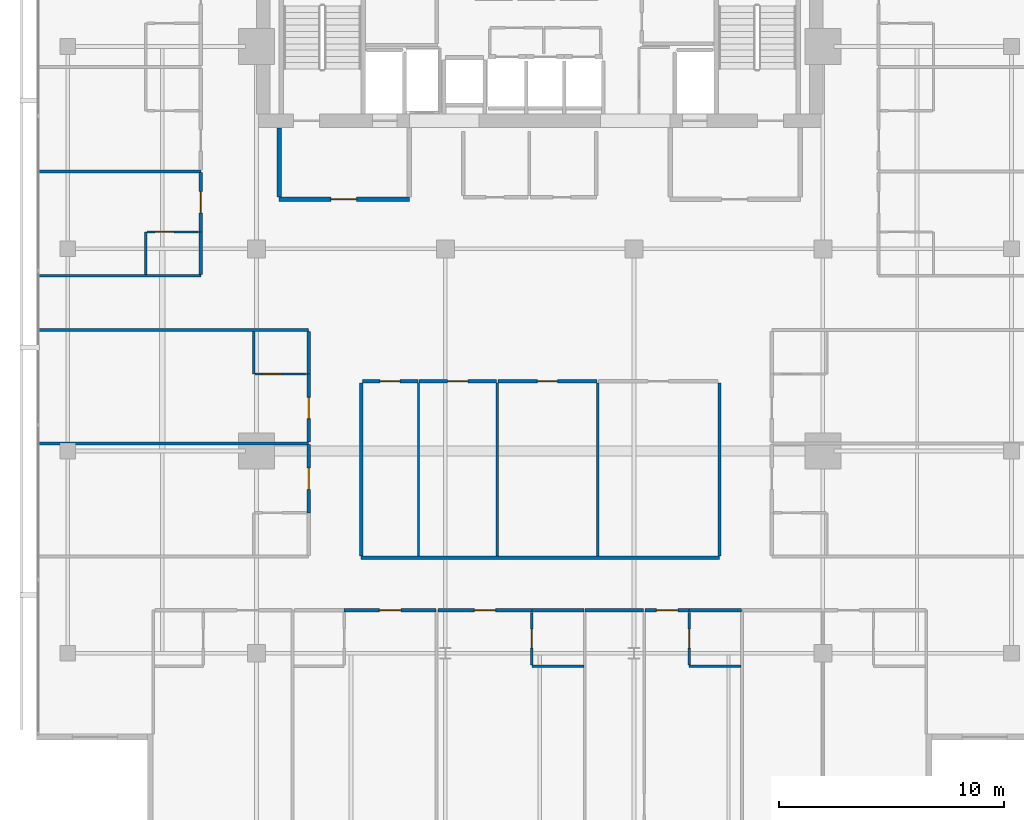
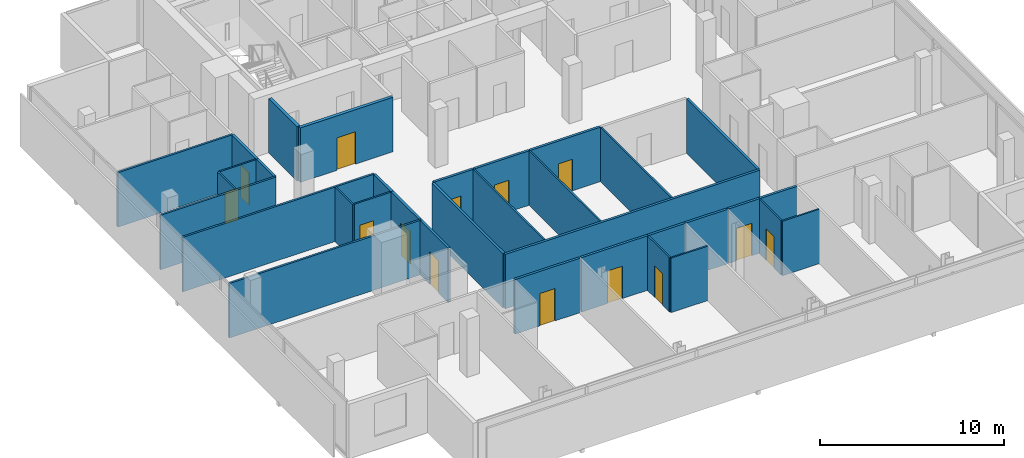
# One storey, part 20 of 26: 34 walls, 14 doors, 14 openings.
"""IFC4 building model written with IfcOpenShell, lengths in metres."""

from ifc_helpers import new_model, si_unit, direction, frame, frame_2d, origin, place, context, subcontext, project, spatial, rectangle, extrude, material, layer, layer_set, type_object, element, fill, save


model = new_model("IFC4")

# Units and contexts
model_context = context("Model", 3, precision=1e-05, world=origin(), true_north=direction((0.0, 1.0)))
body_context = subcontext(model_context, "Body", "Model", "MODEL_VIEW")
ifc_project = project(units=[si_unit("LENGTHUNIT", "METRE"), si_unit("AREAUNIT", "SQUARE_METRE"), si_unit("VOLUMEUNIT", "CUBIC_METRE"), si_unit("PLANEANGLEUNIT", "RADIAN"), si_unit("MASSUNIT", "GRAM", prefix="KILO")], contexts=[model_context])

# Site, building, storey
site_placement = place(None, origin())
site = spatial("IfcSite", under=ifc_project, at=site_placement, CompositionType="ELEMENT")
building_placement = place(site_placement, origin())
building = spatial("IfcBuilding", under=site, at=building_placement, Name="Maruvema Waterfront Hotel and Observation Tower", CompositionType="ELEMENT")
storey_placement = place(building_placement, frame((0.0, 0.0, 289.449951171875)))
storey = spatial("IfcBuildingStorey", under=building, at=storey_placement, Name="L71", CompositionType="ELEMENT", Elevation=289.449951171875)

# Walls
ifc_material_1 = material(Name="Twin-stud acoustic gypsum drywall", Category="gypsum")
ifc_layer_1 = layer(ifc_material_1, 0.14990234375, Name="Acoustic Corridor and Suite Demising Wall 150 mm")
ifc_layer_set_1 = layer_set([ifc_layer_1], Name="Twin-stud acoustic gypsum drywall")
wall_type_1 = type_object("IfcWallType", Name="Acoustic Corridor and Suite Demising Wall 150 mm", PredefinedType="PARTITIONING", material=ifc_layer_set_1)
wall_1_placement = place(storey_placement, frame((29.85009765625, 22.25, 0.0), z_axis=(0.0, 0.0, 1.0), x_axis=(1.0, 0.0, 0.0)))
element("IfcWall", 1, at=wall_1_placement, inside=storey, type_object=wall_type_1, Name="L71 L71-Z3M Back Wall 031", PredefinedType="PARTITIONING", context=body_context, shape_type="SweptSolid", body=[
    extrude(rectangle(XDim=15.949951171875, YDim=0.14990234375, at=frame_2d((7.97509765625, 0.0))), origin(), (0.0, 0.0, 1.0), 3.610107421875),
])
for number, where, z_axis, x_axis, name in (
    (2, (29.85009765625, 22.330078125, 0.0), (0.0, 0.0, 1.0), (0.0, 1.0, 0.0), "L71 L71-Z3M West Wall 032"),
    (3, (45.800048828125, 22.330078125, 0.0), (0.0, 0.0, 1.0), (0.0, 1.0, 0.0), "L71 L71-Z3M East Wall 033"),
):
    element("IfcWall", number, at=place(storey_placement, frame(where, z_axis=z_axis, x_axis=x_axis)), inside=storey, type_object=wall_type_1, Name=name, PredefinedType="PARTITIONING", context=body_context, shape_type="SweptSolid", body=[
        extrude(rectangle(XDim=7.68994140625, YDim=0.14990234375, at=frame_2d((3.844970703125, 0.0))), origin(), (0.0, 0.0, 1.0), 3.610107421875),
    ])

# Wall, opening, door
wall_2_placement = place(storey_placement, frame((29.909912109375, 30.10009765625, 0.0), z_axis=(0.0, 0.0, 1.0), x_axis=(1.0, 0.0, 0.0)))
wall_2 = element("IfcWall", 4, at=wall_2_placement, inside=storey, type_object=wall_type_1, Name="L71 L71-Z3M Front 1 034", PredefinedType="PARTITIONING", context=body_context, shape_type="SweptSolid", body=[
    extrude(rectangle(XDim=2.462158203125, YDim=0.14990234375, at=frame_2d((1.23095703125, 0.0))), origin(), (0.0, 0.0, 1.0), 3.610107421875),
])
opening_1_placement = place(wall_2_placement, frame((0.781005859375, 0.0, 0.0)))
opening_1 = element("IfcOpeningElement", 5, at=opening_1_placement, cuts=wall_2, Name="Opening DR-090", PredefinedType="OPENING", context=body_context, shape_type="SweptSolid", body=[
    extrude(rectangle(XDim=0.89990234375, YDim=2.10009765625, at=frame_2d((0.449951171875, 1.050048828125))), frame((0.0, 0.0849609375, 0.0), z_axis=(0.0, -1.0, 0.0), x_axis=(1.0, 0.0, 0.0)), (0.0, 0.0, 1.0), 0.169921875),
])
ifc_material_2 = material(Name="Solid-core lacquered timber leaf", Category="wood")
door_type_1 = type_object("IfcDoorType", Name="Accessible Toilet and Room Door 900x2100 mm", OperationType="NOTDEFINED", PredefinedType="DOOR", material=ifc_material_2)
door_1_placement = place(opening_1_placement, origin())
door_1 = element("IfcDoor", 6, at=door_1_placement, inside=storey, type_object=door_type_1, Name="L71 Horizon Lounge 1 Door", OperationType="SINGLE_SWING_RIGHT", OverallHeight=2.10009765625, OverallWidth=0.89990234375, PredefinedType="DOOR", context=body_context, shape_type="SweptSolid", body=[
    extrude(rectangle(XDim=0.89990234375, YDim=2.10009765625, at=frame_2d((0.449951171875, 1.050048828125))), frame((0.0, 0.02490234375, 0.0), z_axis=(0.0, -1.0, 0.0), x_axis=(1.0, 0.0, 0.0)), (0.0, 0.0, 1.0), 0.050048828125),
])
fill(opening_1, door_1)

wall_3_placement = place(storey_placement, frame((32.431884765625, 30.10009765625, 0.0), z_axis=(0.0, 0.0, 1.0), x_axis=(1.0, 0.0, 0.0)))
wall_3 = element("IfcWall", 7, at=wall_3_placement, inside=storey, type_object=wall_type_1, Name="L71 L71-Z3M Front 2 036", PredefinedType="PARTITIONING", context=body_context, shape_type="SweptSolid", body=[
    extrude(rectangle(XDim=3.44921875, YDim=0.14990234375, at=frame_2d((1.724609375, 0.0))), origin(), (0.0, 0.0, 1.0), 3.610107421875),
])
opening_2_placement = place(wall_3_placement, frame((1.2744140625, 0.0, 0.0)))
opening_2 = element("IfcOpeningElement", 8, at=opening_2_placement, cuts=wall_3, Name="Opening DR-090", PredefinedType="OPENING", context=body_context, shape_type="SweptSolid", body=[
    extrude(rectangle(XDim=0.89990234375, YDim=2.10009765625, at=frame_2d((0.449951171875, 1.050048828125))), frame((0.0, 0.0849609375, 0.0), z_axis=(0.0, -1.0, 0.0), x_axis=(1.0, 0.0, 0.0)), (0.0, 0.0, 1.0), 0.169921875),
])
door_2_placement = place(opening_2_placement, origin())
door_2 = element("IfcDoor", 9, at=door_2_placement, inside=storey, type_object=door_type_1, Name="L71 Horizon Lounge 2 Door", OperationType="SINGLE_SWING_LEFT", OverallHeight=2.10009765625, OverallWidth=0.89990234375, PredefinedType="DOOR", context=body_context, shape_type="SweptSolid", body=[
    extrude(rectangle(XDim=0.89990234375, YDim=2.10009765625, at=frame_2d((0.449951171875, 1.050048828125))), frame((0.0, 0.02490234375, 0.0), z_axis=(0.0, -1.0, 0.0), x_axis=(1.0, 0.0, 0.0)), (0.0, 0.0, 1.0), 0.050048828125),
])
fill(opening_2, door_2)

wall_4_placement = place(storey_placement, frame((35.94091796875, 30.10009765625, 0.0), z_axis=(0.0, 0.0, 1.0), x_axis=(1.0, 0.0, 0.0)))
wall_4 = element("IfcWall", 10, at=wall_4_placement, inside=storey, type_object=wall_type_1, Name="L71 L71-Z3M Front 3 038", PredefinedType="PARTITIONING", context=body_context, shape_type="SweptSolid", body=[
    extrude(rectangle(XDim=4.406005859375, YDim=0.14990234375, at=frame_2d((2.203125, 0.0))), origin(), (0.0, 0.0, 1.0), 3.610107421875),
])
opening_3_placement = place(wall_4_placement, frame((1.7529296875, 0.0, 0.0)))
opening_3 = element("IfcOpeningElement", 11, at=opening_3_placement, cuts=wall_4, Name="Opening DR-090", PredefinedType="OPENING", context=body_context, shape_type="SweptSolid", body=[
    extrude(rectangle(XDim=0.89990234375, YDim=2.10009765625, at=frame_2d((0.449951171875, 1.050048828125))), frame((0.0, 0.0849609375, 0.0), z_axis=(0.0, -1.0, 0.0), x_axis=(1.0, 0.0, 0.0)), (0.0, 0.0, 1.0), 0.169921875),
])
door_3_placement = place(opening_3_placement, origin())
door_3 = element("IfcDoor", 12, at=door_3_placement, inside=storey, type_object=door_type_1, Name="L71 Horizon Lounge 3 Door", OperationType="SINGLE_SWING_RIGHT", OverallHeight=2.10009765625, OverallWidth=0.89990234375, PredefinedType="DOOR", context=body_context, shape_type="SweptSolid", body=[
    extrude(rectangle(XDim=0.89990234375, YDim=2.10009765625, at=frame_2d((0.449951171875, 1.050048828125))), frame((0.0, 0.02490234375, 0.0), z_axis=(0.0, -1.0, 0.0), x_axis=(1.0, 0.0, 0.0)), (0.0, 0.0, 1.0), 0.050048828125),
])
fill(opening_3, door_3)

wall_5_placement = place(storey_placement, frame((29.10009765625, 19.919921875, 0.0), z_axis=(0.0, 0.0, 1.0), x_axis=(1.0, 0.0, 0.0)))
wall_5 = element("IfcWall", 13, at=wall_5_placement, inside=storey, type_object=wall_type_1, Name="L71 Unit L71-S2 Corridor Wall 051", PredefinedType="PARTITIONING", context=body_context, shape_type="SweptSolid", body=[
    extrude(rectangle(XDim=4.079833984375, YDim=0.14990234375, at=frame_2d((2.0400390625, 0.0))), origin(), (0.0, 0.0, 1.0), 3.610107421875),
])
opening_4_placement = place(wall_5_placement, frame((1.56494140625, 0.0, 0.0)))
opening_4 = element("IfcOpeningElement", 14, at=opening_4_placement, cuts=wall_5, Name="Opening DR-095", PredefinedType="OPENING", context=body_context, shape_type="SweptSolid", body=[
    extrude(rectangle(XDim=0.949951171875, YDim=2.14990234375, at=frame_2d((0.47509765625, 1.074951171875))), frame((0.0, 0.0849609375, 0.0), z_axis=(0.0, -1.0, 0.0), x_axis=(1.0, 0.0, 0.0)), (0.0, 0.0, 1.0), 0.169921875),
])
ifc_material_3 = material(Name="Acoustic solid-core hardwood timber leaf", Category="wood")
door_type_2 = type_object("IfcDoorType", Name="Guestroom Entrance Fire Door 950x2150 mm", OperationType="NOTDEFINED", PredefinedType="DOOR", material=ifc_material_3)
door_4_placement = place(opening_4_placement, frame((0.949951171875, 0.0, 0.0), z_axis=(0.0, 0.0, 1.0), x_axis=(-1.0, 0.0, 0.0)))
door_4 = element("IfcDoor", 15, at=door_4_placement, inside=storey, type_object=door_type_2, Name="L71 Unit L71-S2 Entrance Door", OperationType="SINGLE_SWING_LEFT", OverallHeight=2.14990234375, OverallWidth=0.949951171875, PredefinedType="DOOR", context=body_context, shape_type="SweptSolid", body=[
    extrude(rectangle(XDim=0.949951171875, YDim=2.14990234375, at=frame_2d((0.47509765625, 1.074951171875))), frame((0.0, 0.02490234375, 0.0), z_axis=(0.0, -1.0, 0.0), x_axis=(1.0, 0.0, 0.0)), (0.0, 0.0, 1.0), 0.050048828125),
])
fill(opening_4, door_4)

# Wall
wall_6_placement = place(storey_placement, frame((37.449951171875, 19.919921875, 0.0), z_axis=(0.0, 0.0, 1.0), x_axis=(1.0, 0.0, 0.0)))
element("IfcWall", 16, at=wall_6_placement, inside=storey, type_object=wall_type_1, Name="L71 Bath L71-S3 Back Wall 053", PredefinedType="PARTITIONING", context=body_context, shape_type="SweptSolid", body=[
    extrude(rectangle(XDim=2.330078125, YDim=0.14990234375, at=frame_2d((1.1650390625, 0.0))), origin(), (0.0, 0.0, 1.0), 3.610107421875),
])

# Wall, opening, door
wall_7_placement = place(storey_placement, frame((33.280029296875, 19.919921875, 0.0), z_axis=(0.0, 0.0, 1.0), x_axis=(1.0, 0.0, 0.0)))
wall_7 = element("IfcWall", 17, at=wall_7_placement, inside=storey, type_object=wall_type_1, Name="L71 Unit L71-S3 Corridor Wall 056", PredefinedType="PARTITIONING", context=body_context, shape_type="SweptSolid", body=[
    extrude(rectangle(XDim=4.169921875, YDim=0.14990234375, at=frame_2d((2.0849609375, 0.0))), origin(), (0.0, 0.0, 1.0), 3.610107421875),
])
opening_5_placement = place(wall_7_placement, frame((1.610107421875, 0.0, 0.0)))
opening_5 = element("IfcOpeningElement", 18, at=opening_5_placement, cuts=wall_7, Name="Opening DR-095", PredefinedType="OPENING", context=body_context, shape_type="SweptSolid", body=[
    extrude(rectangle(XDim=0.949951171875, YDim=2.14990234375, at=frame_2d((0.47509765625, 1.074951171875))), frame((0.0, 0.0849609375, 0.0), z_axis=(0.0, -1.0, 0.0), x_axis=(1.0, 0.0, 0.0)), (0.0, 0.0, 1.0), 0.169921875),
])
door_5_placement = place(opening_5_placement, frame((0.949951171875, 0.0, 0.0), z_axis=(0.0, 0.0, 1.0), x_axis=(-1.0, 0.0, 0.0)))
door_5 = element("IfcDoor", 19, at=door_5_placement, inside=storey, type_object=door_type_2, Name="L71 Unit L71-S3 Entrance Door", OperationType="SINGLE_SWING_LEFT", OverallHeight=2.14990234375, OverallWidth=0.949951171875, PredefinedType="DOOR", context=body_context, shape_type="SweptSolid", body=[
    extrude(rectangle(XDim=0.949951171875, YDim=2.14990234375, at=frame_2d((0.47509765625, 1.074951171875))), frame((0.0, 0.02490234375, 0.0), z_axis=(0.0, -1.0, 0.0), x_axis=(1.0, 0.0, 0.0)), (0.0, 0.0, 1.0), 0.050048828125),
])
fill(opening_5, door_5)

# Walls
wall_8_placement = place(storey_placement, frame((44.449951171875, 19.919921875, 0.0), z_axis=(0.0, 0.0, 1.0), x_axis=(1.0, 0.0, 0.0)))
element("IfcWall", 20, at=wall_8_placement, inside=storey, type_object=wall_type_1, Name="L71 Bath L71-S4 Back Wall 058", PredefinedType="PARTITIONING", context=body_context, shape_type="SweptSolid", body=[
    extrude(rectangle(XDim=2.330078125, YDim=0.14990234375, at=frame_2d((1.1650390625, 0.0))), origin(), (0.0, 0.0, 1.0), 3.610107421875),
])
wall_9_placement = place(storey_placement, frame((39.820068359375, 19.919921875, 0.0), z_axis=(0.0, 0.0, 1.0), x_axis=(1.0, 0.0, 0.0)))
element("IfcWall", 21, at=wall_9_placement, inside=storey, type_object=wall_type_1, Name="L71 Bedroom L71-S4 Back Wall 061", PredefinedType="PARTITIONING", context=body_context, shape_type="SweptSolid", body=[
    extrude(rectangle(XDim=2.58984375, YDim=0.14990234375, at=frame_2d((1.294921875, 0.0))), origin(), (0.0, 0.0, 1.0), 3.610107421875),
])

# Wall, opening, door
wall_10_placement = place(storey_placement, frame((42.489990234375, 19.919921875, 0.0), z_axis=(0.0, 0.0, 1.0), x_axis=(1.0, 0.0, 0.0)))
wall_10 = element("IfcWall", 22, at=wall_10_placement, inside=storey, type_object=wall_type_1, Name="L71 Unit L71-S4 Corridor Wall 062", PredefinedType="PARTITIONING", context=body_context, shape_type="SweptSolid", body=[
    extrude(rectangle(XDim=1.9599609375, YDim=0.14990234375, at=frame_2d((0.97998046875, 0.0))), origin(), (0.0, 0.0, 1.0), 3.610107421875),
])
opening_6_placement = place(wall_10_placement, frame((0.5048828125, 0.0, 0.0)))
opening_6 = element("IfcOpeningElement", 23, at=opening_6_placement, cuts=wall_10, Name="Opening DR-095", PredefinedType="OPENING", context=body_context, shape_type="SweptSolid", body=[
    extrude(rectangle(XDim=0.949951171875, YDim=2.14990234375, at=frame_2d((0.47509765625, 1.074951171875))), frame((0.0, 0.0849609375, 0.0), z_axis=(0.0, -1.0, 0.0), x_axis=(1.0, 0.0, 0.0)), (0.0, 0.0, 1.0), 0.169921875),
])
door_6_placement = place(opening_6_placement, frame((0.949951171875, 0.0, 0.0), z_axis=(0.0, 0.0, 1.0), x_axis=(-1.0, 0.0, 0.0)))
door_6 = element("IfcDoor", 24, at=door_6_placement, inside=storey, type_object=door_type_2, Name="L71 Unit L71-S4 Entrance Door", OperationType="SINGLE_SWING_LEFT", OverallHeight=2.14990234375, OverallWidth=0.949951171875, PredefinedType="DOOR", context=body_context, shape_type="SweptSolid", body=[
    extrude(rectangle(XDim=0.949951171875, YDim=2.14990234375, at=frame_2d((0.47509765625, 1.074951171875))), frame((0.0, 0.02490234375, 0.0), z_axis=(0.0, -1.0, 0.0), x_axis=(1.0, 0.0, 0.0)), (0.0, 0.0, 1.0), 0.050048828125),
])
fill(opening_6, door_6)

wall_11_placement = place(storey_placement, frame((27.52001953125, 24.25, 0.0), z_axis=(0.0, 0.0, 1.0), x_axis=(0.0, 1.0, 0.0)))
wall_11 = element("IfcWall", 25, at=wall_11_placement, inside=storey, type_object=wall_type_1, Name="L71 Room L71-W1 Corridor Wall 076", PredefinedType="PARTITIONING", context=body_context, shape_type="SweptSolid", body=[
    extrude(rectangle(XDim=3.030029296875, YDim=0.14990234375, at=frame_2d((1.51513671875, 0.0))), origin(), (0.0, 0.0, 1.0), 3.610107421875),
])
opening_7_placement = place(wall_11_placement, frame((1.0400390625, 0.0, 0.0)))
opening_7 = element("IfcOpeningElement", 26, at=opening_7_placement, cuts=wall_11, Name="Opening DR-095", PredefinedType="OPENING", context=body_context, shape_type="SweptSolid", body=[
    extrude(rectangle(XDim=0.949951171875, YDim=2.14990234375, at=frame_2d((0.47509765625, 1.074951171875))), frame((0.0, 0.0849609375, 0.0), z_axis=(0.0, -1.0, 0.0), x_axis=(1.0, 0.0, 0.0)), (0.0, 0.0, 1.0), 0.169921875),
])
door_7_placement = place(opening_7_placement, origin())
door_7 = element("IfcDoor", 27, at=door_7_placement, inside=storey, type_object=door_type_2, Name="L71 Room L71-W1 Entrance Door", OperationType="SINGLE_SWING_LEFT", OverallHeight=2.14990234375, OverallWidth=0.949951171875, PredefinedType="DOOR", context=body_context, shape_type="SweptSolid", body=[
    extrude(rectangle(XDim=0.949951171875, YDim=2.14990234375, at=frame_2d((0.47509765625, 1.074951171875))), frame((0.0, 0.02490234375, 0.0), z_axis=(0.0, -1.0, 0.0), x_axis=(1.0, 0.0, 0.0)), (0.0, 0.0, 1.0), 0.050048828125),
])
fill(opening_7, door_7)

wall_12_placement = place(storey_placement, frame((27.52001953125, 27.39990234375, 0.0), z_axis=(0.0, 0.0, 1.0), x_axis=(0.0, 1.0, 0.0)))
wall_12 = element("IfcWall", 28, at=wall_12_placement, inside=storey, type_object=wall_type_1, Name="L71 Room L71-W2 Corridor Wall 085", PredefinedType="PARTITIONING", context=body_context, shape_type="SweptSolid", body=[
    extrude(rectangle(XDim=3.030029296875, YDim=0.14990234375, at=frame_2d((1.51513671875, 0.0))), origin(), (0.0, 0.0, 1.0), 3.610107421875),
])
opening_8_placement = place(wall_12_placement, frame((1.0400390625, 0.0, 0.0)))
opening_8 = element("IfcOpeningElement", 29, at=opening_8_placement, cuts=wall_12, Name="Opening DR-095", PredefinedType="OPENING", context=body_context, shape_type="SweptSolid", body=[
    extrude(rectangle(XDim=0.949951171875, YDim=2.14990234375, at=frame_2d((0.47509765625, 1.074951171875))), frame((0.0, 0.0849609375, 0.0), z_axis=(0.0, -1.0, 0.0), x_axis=(1.0, 0.0, 0.0)), (0.0, 0.0, 1.0), 0.169921875),
])
door_8_placement = place(opening_8_placement, origin())
door_8 = element("IfcDoor", 30, at=door_8_placement, inside=storey, type_object=door_type_2, Name="L71 Room L71-W2 Entrance Door", OperationType="SINGLE_SWING_LEFT", OverallHeight=2.14990234375, OverallWidth=0.949951171875, PredefinedType="DOOR", context=body_context, shape_type="SweptSolid", body=[
    extrude(rectangle(XDim=0.949951171875, YDim=2.14990234375, at=frame_2d((0.47509765625, 1.074951171875))), frame((0.0, 0.02490234375, 0.0), z_axis=(0.0, -1.0, 0.0), x_axis=(1.0, 0.0, 0.0)), (0.0, 0.0, 1.0), 0.050048828125),
])
fill(opening_8, door_8)

# Walls
wall_13_placement = place(storey_placement, frame((27.52001953125, 30.429931640625, 0.0), z_axis=(0.0, 0.0, 1.0), x_axis=(0.0, 1.0, 0.0)))
element("IfcWall", 31, at=wall_13_placement, inside=storey, type_object=wall_type_1, Name="L71 Bath L71-W2 Wall 086", PredefinedType="PARTITIONING", context=body_context, shape_type="SweptSolid", body=[
    extrude(rectangle(XDim=1.89013671875, YDim=0.14990234375, at=frame_2d((0.945068359375, 0.0))), origin(), (0.0, 0.0, 1.0), 3.610107421875),
])
wall_14_placement = place(storey_placement, frame((22.719970703125, 34.860107421875, 0.0), z_axis=(0.0, 0.0, 1.0), x_axis=(0.0, 1.0, 0.0)))
element("IfcWall", 32, at=wall_14_placement, inside=storey, type_object=wall_type_1, Name="L71 Bath L71-NW1 Wall 097", PredefinedType="PARTITIONING", context=body_context, shape_type="SweptSolid", body=[
    extrude(rectangle(XDim=1.889892578125, YDim=0.14990234375, at=frame_2d((0.94482421875, 0.0))), origin(), (0.0, 0.0, 1.0), 3.610107421875),
])

# Wall, opening, door
wall_15_placement = place(storey_placement, frame((22.719970703125, 36.75, 0.0), z_axis=(0.0, 0.0, 1.0), x_axis=(0.0, 1.0, 0.0)))
wall_15 = element("IfcWall", 33, at=wall_15_placement, inside=storey, type_object=wall_type_1, Name="L71 Room L71-NW1 Corridor Wall 098", PredefinedType="PARTITIONING", context=body_context, shape_type="SweptSolid", body=[
    extrude(rectangle(XDim=2.6357421875, YDim=0.14990234375, at=frame_2d((1.31787109375, 0.0))), origin(), (0.0, 0.0, 1.0), 3.610107421875),
])
opening_9_placement = place(wall_15_placement, frame((0.843017578125, 0.0, 0.0)))
opening_9 = element("IfcOpeningElement", 34, at=opening_9_placement, cuts=wall_15, Name="Opening DR-095", PredefinedType="OPENING", context=body_context, shape_type="SweptSolid", body=[
    extrude(rectangle(XDim=0.949951171875, YDim=2.14990234375, at=frame_2d((0.47509765625, 1.074951171875))), frame((0.0, 0.0849609375, 0.0), z_axis=(0.0, -1.0, 0.0), x_axis=(1.0, 0.0, 0.0)), (0.0, 0.0, 1.0), 0.169921875),
])
door_9_placement = place(opening_9_placement, origin())
door_9 = element("IfcDoor", 35, at=door_9_placement, inside=storey, type_object=door_type_2, Name="L71 Room L71-NW1 Entrance Door", OperationType="SINGLE_SWING_LEFT", OverallHeight=2.14990234375, OverallWidth=0.949951171875, PredefinedType="DOOR", context=body_context, shape_type="SweptSolid", body=[
    extrude(rectangle(XDim=0.949951171875, YDim=2.14990234375, at=frame_2d((0.47509765625, 1.074951171875))), frame((0.0, 0.02490234375, 0.0), z_axis=(0.0, -1.0, 0.0), x_axis=(1.0, 0.0, 0.0)), (0.0, 0.0, 1.0), 0.050048828125),
])
fill(opening_9, door_9)

# Walls
ifc_material_4 = material(Name="Moisture-resistant cement-board drywall", Category="gypsum")
ifc_layer_2 = layer(ifc_material_4, 0.10009765625, Name="En-Suite Moisture-Resistant Partition 100 mm")
ifc_layer_set_2 = layer_set([ifc_layer_2], Name="Moisture-resistant cement-board drywall")
wall_type_2 = type_object("IfcWallType", Name="En-Suite Moisture-Resistant Partition 100 mm", PredefinedType="PARTITIONING", material=ifc_layer_set_2)
for number, where, z_axis, x_axis, name in (
    (36, (32.402099609375, 22.330078125, 0.0), (0.0, 0.0, 1.0), (0.0, 1.0, 0.0), "L71 L71-Z3M Split 1 035"),
    (37, (35.910888671875, 22.330078125, 0.0), (0.0, 0.0, 1.0), (0.0, 1.0, 0.0), "L71 L71-Z3M Split 2 037"),
    (38, (40.376953125, 22.330078125, 0.0), (0.0, 0.0, 1.0), (0.0, 1.0, 0.0), "L71 L71-Z3M Split 3 039"),
):
    element("IfcWall", number, at=place(storey_placement, frame(where, z_axis=z_axis, x_axis=x_axis)), inside=storey, type_object=wall_type_2, Name=name, PredefinedType="PARTITIONING", context=body_context, shape_type="SweptSolid", body=[
        extrude(rectangle(XDim=7.68994140625, YDim=0.10009765625, at=frame_2d((3.844970703125, 0.0))), origin(), (0.0, 0.0, 1.0), 3.610107421875),
    ])
wall_16_placement = place(storey_placement, frame((37.449951171875, 17.419921875, 0.0), z_axis=(0.0, 0.0, 1.0), x_axis=(1.0, 0.0, 0.0)))
element("IfcWall", 39, at=wall_16_placement, inside=storey, type_object=wall_type_2, Name="L71 En-Suite L71-S3 South 054", PredefinedType="PARTITIONING", context=body_context, shape_type="SweptSolid", body=[
    extrude(rectangle(XDim=2.31005859375, YDim=0.10009765625, at=frame_2d((1.155029296875, 0.0))), origin(), (0.0, 0.0, 1.0), 3.610107421875),
])

# Wall, opening, door
wall_17_placement = place(storey_placement, frame((37.449951171875, 17.47998046875, 0.0), z_axis=(0.0, 0.0, 1.0), x_axis=(0.0, 1.0, 0.0)))
wall_17 = element("IfcWall", 40, at=wall_17_placement, inside=storey, type_object=wall_type_2, Name="L71 En-Suite L71-S3 West 055", PredefinedType="PARTITIONING", context=body_context, shape_type="SweptSolid", body=[
    extrude(rectangle(XDim=2.340087890625, YDim=0.10009765625, at=frame_2d((1.169921875, 0.0))), origin(), (0.0, 0.0, 1.0), 3.610107421875),
])
opening_10_placement = place(wall_17_placement, frame((0.7451171875, 0.0, 0.0)))
opening_10 = element("IfcOpeningElement", 41, at=opening_10_placement, cuts=wall_17, Name="Opening DR-085", PredefinedType="OPENING", context=body_context, shape_type="SweptSolid", body=[
    extrude(rectangle(XDim=0.85009765625, YDim=2.10009765625, at=frame_2d((0.425048828125, 1.050048828125))), frame((0.0, 0.06005859375, 0.0), z_axis=(0.0, -1.0, 0.0), x_axis=(1.0, 0.0, 0.0)), (0.0, 0.0, 1.0), 0.1201171875),
])
ifc_material_5 = material(Name="Moisture-resistant solid timber leaf", Category="wood")
door_type_3 = type_object("IfcDoorType", Name="En-Suite Bathroom Door 850x2100 mm", OperationType="NOTDEFINED", PredefinedType="DOOR", material=ifc_material_5)
door_10_placement = place(opening_10_placement, origin())
door_10 = element("IfcDoor", 42, at=door_10_placement, inside=storey, type_object=door_type_3, Name="L71 En-Suite L71-S3 Door", OperationType="SINGLE_SWING_RIGHT", OverallHeight=2.10009765625, OverallWidth=0.85009765625, PredefinedType="DOOR", context=body_context, shape_type="SweptSolid", body=[
    extrude(rectangle(XDim=0.85009765625, YDim=2.10009765625, at=frame_2d((0.425048828125, 1.050048828125))), frame((0.0, 0.02490234375, 0.0), z_axis=(0.0, -1.0, 0.0), x_axis=(1.0, 0.0, 0.0)), (0.0, 0.0, 1.0), 0.050048828125),
])
fill(opening_10, door_10)

# Wall
wall_18_placement = place(storey_placement, frame((44.449951171875, 17.419921875, 0.0), z_axis=(0.0, 0.0, 1.0), x_axis=(1.0, 0.0, 0.0)))
element("IfcWall", 43, at=wall_18_placement, inside=storey, type_object=wall_type_2, Name="L71 En-Suite L71-S4 South 059", PredefinedType="PARTITIONING", context=body_context, shape_type="SweptSolid", body=[
    extrude(rectangle(XDim=2.31005859375, YDim=0.10009765625, at=frame_2d((1.155029296875, 0.0))), origin(), (0.0, 0.0, 1.0), 3.610107421875),
])

# Wall, opening, door
wall_19_placement = place(storey_placement, frame((44.449951171875, 17.47998046875, 0.0), z_axis=(0.0, 0.0, 1.0), x_axis=(0.0, 1.0, 0.0)))
wall_19 = element("IfcWall", 44, at=wall_19_placement, inside=storey, type_object=wall_type_2, Name="L71 En-Suite L71-S4 West 060", PredefinedType="PARTITIONING", context=body_context, shape_type="SweptSolid", body=[
    extrude(rectangle(XDim=2.340087890625, YDim=0.10009765625, at=frame_2d((1.169921875, 0.0))), origin(), (0.0, 0.0, 1.0), 3.610107421875),
])
opening_11_placement = place(wall_19_placement, frame((0.7451171875, 0.0, 0.0)))
opening_11 = element("IfcOpeningElement", 45, at=opening_11_placement, cuts=wall_19, Name="Opening DR-085", PredefinedType="OPENING", context=body_context, shape_type="SweptSolid", body=[
    extrude(rectangle(XDim=0.85009765625, YDim=2.10009765625, at=frame_2d((0.425048828125, 1.050048828125))), frame((0.0, 0.06005859375, 0.0), z_axis=(0.0, -1.0, 0.0), x_axis=(1.0, 0.0, 0.0)), (0.0, 0.0, 1.0), 0.1201171875),
])
door_11_placement = place(opening_11_placement, origin())
door_11 = element("IfcDoor", 46, at=door_11_placement, inside=storey, type_object=door_type_3, Name="L71 En-Suite L71-S4 Door", OperationType="SINGLE_SWING_RIGHT", OverallHeight=2.10009765625, OverallWidth=0.85009765625, PredefinedType="DOOR", context=body_context, shape_type="SweptSolid", body=[
    extrude(rectangle(XDim=0.85009765625, YDim=2.10009765625, at=frame_2d((0.425048828125, 1.050048828125))), frame((0.0, 0.02490234375, 0.0), z_axis=(0.0, -1.0, 0.0), x_axis=(1.0, 0.0, 0.0)), (0.0, 0.0, 1.0), 0.050048828125),
])
fill(opening_11, door_11)

# Wall
wall_20_placement = place(storey_placement, frame((25.070068359375, 30.429931640625, 0.0), z_axis=(0.0, 0.0, 1.0), x_axis=(0.0, 1.0, 0.0)))
element("IfcWall", 47, at=wall_20_placement, inside=storey, type_object=wall_type_2, Name="L71 En-Suite L71-W2 W 087", PredefinedType="PARTITIONING", context=body_context, shape_type="SweptSolid", body=[
    extrude(rectangle(XDim=1.89013671875, YDim=0.10009765625, at=frame_2d((0.945068359375, 0.0))), origin(), (0.0, 0.0, 1.0), 3.610107421875),
])

# Wall, opening, door
wall_21_placement = place(storey_placement, frame((25.1201171875, 30.429931640625, 0.0), z_axis=(0.0, 0.0, 1.0), x_axis=(1.0, 0.0, 0.0)))
wall_21 = element("IfcWall", 48, at=wall_21_placement, inside=storey, type_object=wall_type_2, Name="L71 En-Suite L71-W2 S 088", PredefinedType="PARTITIONING", context=body_context, shape_type="SweptSolid", body=[
    extrude(rectangle(XDim=2.2998046875, YDim=0.10009765625, at=frame_2d((1.14990234375, 0.0))), origin(), (0.0, 0.0, 1.0), 3.610107421875),
])
opening_12_placement = place(wall_21_placement, frame((0.35009765625, 0.0, 0.0)))
opening_12 = element("IfcOpeningElement", 49, at=opening_12_placement, cuts=wall_21, Name="Opening DR-085", PredefinedType="OPENING", context=body_context, shape_type="SweptSolid", body=[
    extrude(rectangle(XDim=0.85009765625, YDim=2.10009765625, at=frame_2d((0.425048828125, 1.050048828125))), frame((0.0, 0.06005859375, 0.0), z_axis=(0.0, -1.0, 0.0), x_axis=(1.0, 0.0, 0.0)), (0.0, 0.0, 1.0), 0.1201171875),
])
door_12_placement = place(opening_12_placement, frame((0.85009765625, 0.0, 0.0), z_axis=(0.0, 0.0, 1.0), x_axis=(-1.0, 0.0, 0.0)))
door_12 = element("IfcDoor", 50, at=door_12_placement, inside=storey, type_object=door_type_3, Name="L71 En-Suite L71-W2 Door", OperationType="SINGLE_SWING_RIGHT", OverallHeight=2.10009765625, OverallWidth=0.85009765625, PredefinedType="DOOR", context=body_context, shape_type="SweptSolid", body=[
    extrude(rectangle(XDim=0.85009765625, YDim=2.10009765625, at=frame_2d((0.425048828125, 1.050048828125))), frame((0.0, 0.02490234375, 0.0), z_axis=(0.0, -1.0, 0.0), x_axis=(1.0, 0.0, 0.0)), (0.0, 0.0, 1.0), 0.050048828125),
])
fill(opening_12, door_12)

# Wall
wall_22_placement = place(storey_placement, frame((20.27001953125, 34.860107421875, 0.0), z_axis=(0.0, 0.0, 1.0), x_axis=(0.0, 1.0, 0.0)))
element("IfcWall", 51, at=wall_22_placement, inside=storey, type_object=wall_type_2, Name="L71 En-Suite L71-NW1 W 099", PredefinedType="PARTITIONING", context=body_context, shape_type="SweptSolid", body=[
    extrude(rectangle(XDim=1.889892578125, YDim=0.10009765625, at=frame_2d((0.94482421875, 0.0))), origin(), (0.0, 0.0, 1.0), 3.610107421875),
])

# Wall, opening, door
wall_23_placement = place(storey_placement, frame((20.320068359375, 36.75, 0.0), z_axis=(0.0, 0.0, 1.0), x_axis=(1.0, 0.0, 0.0)))
wall_23 = element("IfcWall", 52, at=wall_23_placement, inside=storey, type_object=wall_type_2, Name="L71 En-Suite L71-NW1 N 100", PredefinedType="PARTITIONING", context=body_context, shape_type="SweptSolid", body=[
    extrude(rectangle(XDim=2.300048828125, YDim=0.10009765625, at=frame_2d((1.14990234375, 0.0))), origin(), (0.0, 0.0, 1.0), 3.610107421875),
])
opening_13_placement = place(wall_23_placement, frame((0.35009765625, 0.0, 0.0)))
opening_13 = element("IfcOpeningElement", 53, at=opening_13_placement, cuts=wall_23, Name="Opening DR-085", PredefinedType="OPENING", context=body_context, shape_type="SweptSolid", body=[
    extrude(rectangle(XDim=0.85009765625, YDim=2.10009765625, at=frame_2d((0.425048828125, 1.050048828125))), frame((0.0, 0.06005859375, 0.0), z_axis=(0.0, -1.0, 0.0), x_axis=(1.0, 0.0, 0.0)), (0.0, 0.0, 1.0), 0.1201171875),
])
door_13_placement = place(opening_13_placement, origin())
door_13 = element("IfcDoor", 54, at=door_13_placement, inside=storey, type_object=door_type_3, Name="L71 En-Suite L71-NW1 Door", OperationType="SINGLE_SWING_RIGHT", OverallHeight=2.10009765625, OverallWidth=0.85009765625, PredefinedType="DOOR", context=body_context, shape_type="SweptSolid", body=[
    extrude(rectangle(XDim=0.85009765625, YDim=2.10009765625, at=frame_2d((0.425048828125, 1.050048828125))), frame((0.0, 0.02490234375, 0.0), z_axis=(0.0, -1.0, 0.0), x_axis=(1.0, 0.0, 0.0)), (0.0, 0.0, 1.0), 0.050048828125),
])
fill(opening_13, door_13)

ifc_material_6 = material(Name="Autoclaved cellular concrete blockwork", Category="masonry")
ifc_layer_3 = layer(ifc_material_6, 0.199951171875, Name="Fire Compartment Masonry Wall 200 mm")
ifc_layer_set_3 = layer_set([ifc_layer_3], Name="Autoclaved cellular concrete blockwork")
wall_type_3 = type_object("IfcWallType", Name="Fire Compartment Masonry Wall 200 mm", PredefinedType="PARTITIONING", material=ifc_layer_set_3)
wall_24_placement = place(storey_placement, frame((26.199951171875, 38.199951171875, 0.0), z_axis=(0.0, 0.0, 1.0), x_axis=(1.0, 0.0, 0.0)))
wall_24 = element("IfcWall", 55, at=wall_24_placement, inside=storey, type_object=wall_type_3, Name="L71 FFL West South Wall 001", PredefinedType="PARTITIONING", context=body_context, shape_type="SweptSolid", body=[
    extrude(rectangle(XDim=5.800048828125, YDim=0.199951171875, at=frame_2d((2.89990234375, 0.0))), origin(), (0.0, 0.0, 1.0), 3.610107421875),
])
opening_14_placement = place(wall_24_placement, frame((2.300048828125, 0.0, 0.0)))
opening_14 = element("IfcOpeningElement", 56, at=opening_14_placement, cuts=wall_24, Name="Opening FD-115", PredefinedType="OPENING", context=body_context, shape_type="SweptSolid", body=[
    extrude(rectangle(XDim=1.14990234375, YDim=2.14990234375, at=frame_2d((0.574951171875, 1.074951171875))), frame((0.0, 0.10986328125, 0.0), z_axis=(0.0, -1.0, 0.0), x_axis=(1.0, 0.0, 0.0)), (0.0, 0.0, 1.0), 0.219970703125),
])
ifc_material_7 = material(Name="Fire-rated galvanised steel and vision glass", Category="steel")
door_type_4 = type_object("IfcDoorType", Name="Firefighting Lobby Fire Door 1150x2150 mm", OperationType="NOTDEFINED", PredefinedType="DOOR", material=ifc_material_7)
door_14_placement = place(opening_14_placement, frame((1.14990234375, 0.0, 0.0), z_axis=(0.0, 0.0, 1.0), x_axis=(-1.0, 0.0, 0.0)))
door_14 = element("IfcDoor", 57, at=door_14_placement, inside=storey, type_object=door_type_4, Name="L71 Firefighting Lobby West Door", OperationType="SINGLE_SWING_RIGHT", OverallHeight=2.14990234375, OverallWidth=1.14990234375, PredefinedType="DOOR", context=body_context, shape_type="SweptSolid", body=[
    extrude(rectangle(XDim=1.14990234375, YDim=2.14990234375, at=frame_2d((0.574951171875, 1.074951171875))), frame((0.0, 0.02490234375, 0.0), z_axis=(0.0, -1.0, 0.0), x_axis=(1.0, 0.0, 0.0)), (0.0, 0.0, 1.0), 0.050048828125),
])
fill(opening_14, door_14)

# Walls
wall_25_placement = place(storey_placement, frame((26.199951171875, 38.31005859375, 0.0), z_axis=(0.0, 0.0, 1.0), x_axis=(0.0, 1.0, 0.0)))
element("IfcWall", 58, at=wall_25_placement, inside=storey, type_object=wall_type_3, Name="L71 FFL West West Wall 002", PredefinedType="PARTITIONING", context=body_context, shape_type="SweptSolid", body=[
    extrude(rectangle(XDim=3.06982421875, YDim=0.199951171875, at=frame_2d((1.534912109375, 0.0))), origin(), (0.0, 0.0, 1.0), 3.610107421875),
])
ifc_material_8 = material(Name="Acoustic gypsum plasterboard drywall", Category="gypsum")
ifc_layer_4 = layer(ifc_material_8, 0.125, Name="Guestroom Acoustic Demising Wall 125 mm")
ifc_layer_set_4 = layer_set([ifc_layer_4], Name="Acoustic gypsum plasterboard drywall")
wall_type_4 = type_object("IfcWallType", Name="Guestroom Acoustic Demising Wall 125 mm", PredefinedType="PARTITIONING", material=ifc_layer_set_4)
for number, where, z_axis, x_axis, name in (
    (59, (15.5, 32.3798828125, 0.0), (0.0, 0.0, 1.0), (1.0, 0.0, 0.0), "L71 Z3 W Top End 073"),
    (60, (15.5, 27.340087890625, 0.0), (0.0, 0.0, 1.0), (1.0, 0.0, 0.0), "L71 Z3 W Demising 2 083"),
):
    element("IfcWall", number, at=place(storey_placement, frame(where, z_axis=z_axis, x_axis=x_axis)), inside=storey, type_object=wall_type_4, Name=name, PredefinedType="PARTITIONING", context=body_context, shape_type="SweptSolid", body=[
        extrude(rectangle(XDim=12.02001953125, YDim=0.125, at=frame_2d((6.010009765625, 0.0))), origin(), (0.0, 0.0, 1.0), 3.610107421875),
    ])
for number, where, z_axis, x_axis, name in (
    (61, (15.5, 34.800048828125, 0.0), (0.0, 0.0, 1.0), (1.0, 0.0, 0.0), "L71 Z3 NW Bot End 093"),
    (62, (15.5, 39.44580078125, 0.0), (0.0, 0.0, 1.0), (1.0, 0.0, 0.0), "L71 Z3 NW Demising 2 105"),
):
    element("IfcWall", number, at=place(storey_placement, frame(where, z_axis=z_axis, x_axis=x_axis)), inside=storey, type_object=wall_type_4, Name=name, PredefinedType="PARTITIONING", context=body_context, shape_type="SweptSolid", body=[
        extrude(rectangle(XDim=7.219970703125, YDim=0.125, at=frame_2d((3.60986328125, 0.0))), origin(), (0.0, 0.0, 1.0), 3.610107421875),
    ])

save(model, "model.ifc")
